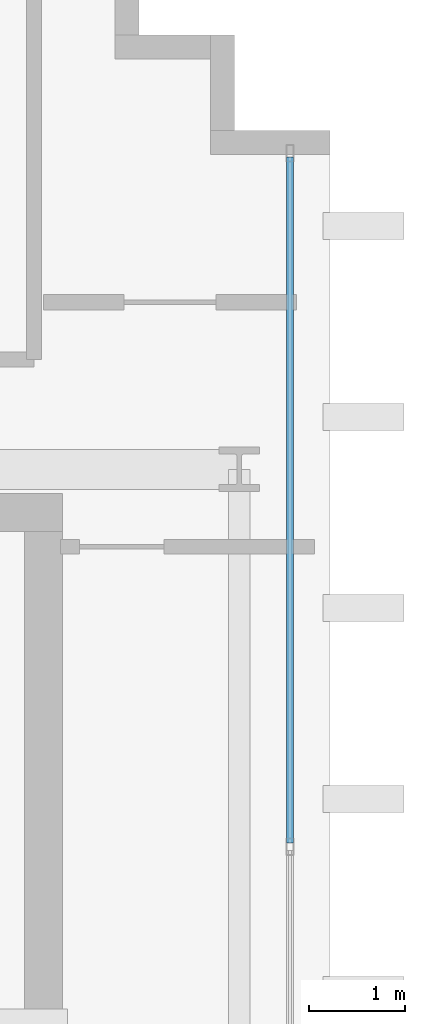
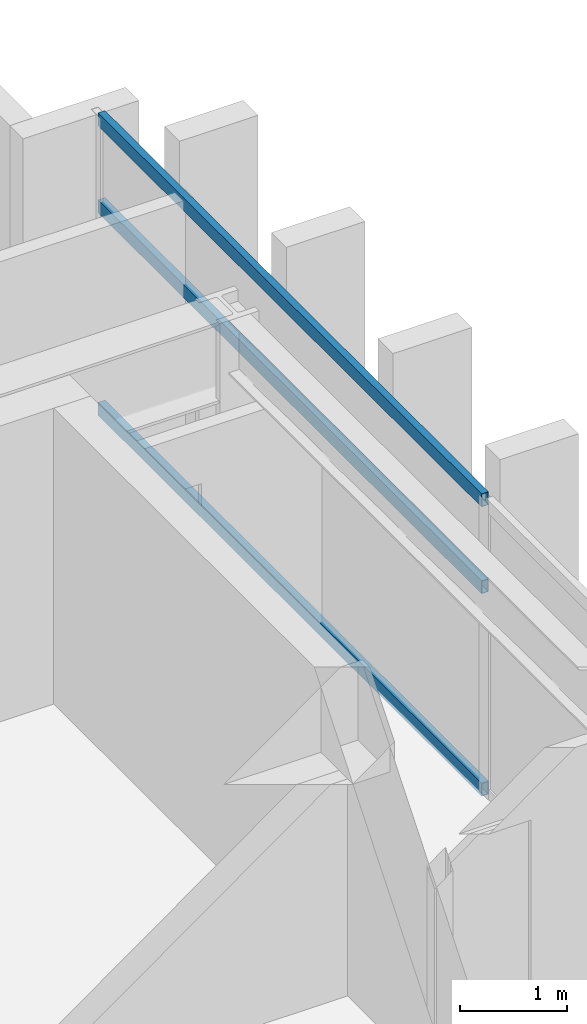
# One storey, part 15 of 25: 3 members, 1 element without a shape of its own.
"""IFC4 building model written with IfcOpenShell, lengths in metres."""

import ifcopenshell
import ifcopenshell.guid

model = None  # the IFC model being written
_history = None  # IfcOwnerHistory: only IFC2X3 demands one
_inside = {}  # id of a spatial element -> (the spatial element, [elements in it])
_under = {}  # id of a project, library or spatial element -> (it, [spatial elements below it])
_declared = {}  # id of a project -> (the project, [libraries it declares])
_typed = {}  # id of a type object -> (the type object, [elements of that type])
_made_of = {}  # id of a material, layer set ... -> (it, [elements and type objects made of it])


def new_model(schema):
    """Start an empty IFC model of exactly this schema.

    Asked for "IFC4X3", IfcOpenShell would pick the latest addendum, in which some entities
    have other attributes; the version numbers below select the first issue.
    IFC2X3 requires an IfcOwnerHistory on every rooted entity: one is made here for all.
    """
    global model, _history
    if schema == "IFC4X3":
        model = ifcopenshell.file(schema_version=(4, 3, 0, 0))
    else:
        model = ifcopenshell.file(schema=schema)
    _inside.clear()
    _under.clear()
    _declared.clear()
    _typed.clear()
    _made_of.clear()
    _history = None
    if model.schema == "IFC2X3":
        org = make("IfcOrganization", Name="unknown")
        user = make(
            "IfcPersonAndOrganization",
            ThePerson=make("IfcPerson", FamilyName="unknown"),
            TheOrganization=org,
        )
        app = make(
            "IfcApplication",
            ApplicationDeveloper=org,
            Version="unknown",
            ApplicationFullName="unknown",
            ApplicationIdentifier="unknown",
        )
        _history = make(
            "IfcOwnerHistory",
            OwningUser=user,
            OwningApplication=app,
            ChangeAction="ADDED",
            CreationDate=0,
        )
    return model


def make(cls, **values):
    """One entity of the class cls with the attributes given. An attribute that is None is left unset."""
    return model.create_entity(
        cls, **{name: value for name, value in values.items() if value is not None}
    )


def rooted(cls, **values):
    """An entity with a GlobalId (a new one), such as an element, a storey or a relation."""
    return make(cls, GlobalId=ifcopenshell.guid.new(), OwnerHistory=_history, **values)


def si_unit(unit_type, name, prefix=None):
    """IfcSIUnit, for example si_unit("LENGTHUNIT", "METRE", prefix="MILLI")."""
    return make("IfcSIUnit", UnitType=unit_type, Prefix=prefix, Name=name)


def assignment(units):
    """IfcUnitAssignment: the units of a project."""
    return None if units is None else make("IfcUnitAssignment", Units=units)


def point(xyz):
    """IfcCartesianPoint."""
    return None if xyz is None else make("IfcCartesianPoint", Coordinates=xyz)


def direction(xyz):
    """IfcDirection."""
    return None if xyz is None else make("IfcDirection", DirectionRatios=xyz)


def frame(location, z_axis=None, x_axis=None):
    """IfcAxis2Placement3D, a coordinate frame: its origin and axes. An axis left out is left unset."""
    return make(
        "IfcAxis2Placement3D",
        Location=point(location),
        Axis=direction(z_axis),
        RefDirection=direction(x_axis),
    )


def frame_2d(location, x_axis=None):
    """IfcAxis2Placement2D, a coordinate frame in the plane: its origin and x axis."""
    return make(
        "IfcAxis2Placement2D", Location=point(location), RefDirection=direction(x_axis)
    )


def origin():
    """The frame at (0, 0, 0) with its axes left unset."""
    return frame((0.0, 0.0, 0.0))


def origin_2d():
    """The frame at (0, 0) in the plane with its x axis left unset."""
    return frame_2d((0.0, 0.0))


def place(relative_to, where):
    """IfcLocalPlacement: puts the frame where relative to a parent placement (None: the world)."""
    return make(
        "IfcLocalPlacement", PlacementRelTo=relative_to, RelativePlacement=where
    )


def context(
    kind, dimensions, precision=None, world=None, true_north=None, identifier=None
):
    """IfcGeometricRepresentationContext, for example the 3D "Model" context."""
    return make(
        "IfcGeometricRepresentationContext",
        ContextIdentifier=identifier,
        ContextType=kind,
        CoordinateSpaceDimension=dimensions,
        Precision=precision,
        WorldCoordinateSystem=world,
        TrueNorth=true_north,
    )


def subcontext(parent, identifier, kind, view, scale=None):
    """IfcGeometricRepresentationSubContext, for example "Body" below "Model"."""
    return make(
        "IfcGeometricRepresentationSubContext",
        ContextIdentifier=identifier,
        ContextType=kind,
        ParentContext=parent,
        TargetScale=scale,
        TargetView=view,
    )


def project(units=None, contexts=None):
    """IfcProject with its units and contexts."""
    return rooted(
        "IfcProject",
        Name="project",
        RepresentationContexts=contexts,
        UnitsInContext=assignment(units),
    )


def spatial(cls, under=None, at=None, **own):
    """A site, building, storey or space (cls), placed at a placement, below another one or the project."""
    s = rooted(cls, ObjectPlacement=at, **own)
    if under is not None:
        _under.setdefault(under.id(), (under, []))[1].append(s)
    return s


def profile(cls, at=None, kind="AREA", **sizes):
    """A parametric profile (cls). Its sizes go by their IFC names, for example OverallWidth=200.0."""
    return make(cls, ProfileType=kind, Position=at, **sizes)


def hollow_rectangle(**sizes):
    """IfcRectangleHollowProfileDef."""
    return profile("IfcRectangleHollowProfileDef", **sizes)


def extrude(swept, where, along, depth):
    """IfcExtrudedAreaSolid: the profile swept, set in the frame where, extruded along a direction by depth."""
    return make(
        "IfcExtrudedAreaSolid",
        SweptArea=swept,
        Position=where,
        ExtrudedDirection=direction(along),
        Depth=depth,
    )


def shape(context_of_items, identifier, shape_type, items):
    """IfcShapeRepresentation: the items that make up one representation, for example the "Body"."""
    return make(
        "IfcShapeRepresentation",
        ContextOfItems=context_of_items,
        RepresentationIdentifier=identifier,
        RepresentationType=shape_type,
        Items=items,
    )


def source(mapping_origin, context_of_items, identifier, shape_type, items):
    """IfcRepresentationMap: a shape defined once, which mapped items show again and again."""
    return make(
        "IfcRepresentationMap",
        MappingOrigin=mapping_origin,
        MappedRepresentation=shape(context_of_items, identifier, shape_type, items),
    )


def transform(
    local_origin,
    x_axis=None,
    y_axis=None,
    z_axis=None,
    scale=None,
    scale2=None,
    scale3=None,
    uniform=True,
):
    """IfcCartesianTransformationOperator3D, or its non-uniform kind. x_axis, y_axis, z_axis: its Axis1, 2, 3."""
    if uniform:
        return make(
            "IfcCartesianTransformationOperator3D",
            Axis1=direction(x_axis),
            Axis2=direction(y_axis),
            LocalOrigin=point(local_origin),
            Scale=scale,
            Axis3=direction(z_axis),
        )
    return make(
        "IfcCartesianTransformationOperator3DnonUniform",
        Axis1=direction(x_axis),
        Axis2=direction(y_axis),
        LocalOrigin=point(local_origin),
        Scale=scale,
        Axis3=direction(z_axis),
        Scale2=scale2,
        Scale3=scale3,
    )


def mapped(mapping_source, mapping_target):
    """IfcMappedItem: shows the shape of a source again, moved by a transform."""
    return make(
        "IfcMappedItem", MappingSource=mapping_source, MappingTarget=mapping_target
    )


def material(Name=None, Category=None):
    """IfcMaterial."""
    return make("IfcMaterial", Name=Name, Category=Category)


def layer(
    of_material, thickness, ventilated=None, Name=None, Category=None, Priority=None
):
    """IfcMaterialLayer: one layer of a wall or slab, of a material (None: an air gap)."""
    return make(
        "IfcMaterialLayer",
        Material=of_material,
        LayerThickness=thickness,
        IsVentilated=ventilated,
        Name=Name,
        Category=Category,
        Priority=Priority,
    )


def layer_set(layers, Name=None):
    """IfcMaterialLayerSet."""
    return make("IfcMaterialLayerSet", MaterialLayers=layers, LayerSetName=Name)


def material_profile(
    of_material, cross_section, Name=None, Category=None, Priority=None
):
    """IfcMaterialProfile: a cross section and its material."""
    return make(
        "IfcMaterialProfile",
        Name=Name,
        Material=of_material,
        Profile=cross_section,
        Priority=Priority,
        Category=Category,
    )


def profile_set(profiles, Name=None, composite=None):
    """IfcMaterialProfileSet."""
    return make(
        "IfcMaterialProfileSet",
        Name=Name,
        MaterialProfiles=profiles,
        CompositeProfile=composite,
    )


def made_of(thing, what):
    """Note that an element or type object is made of a material, layer set ...; save() writes the relation."""
    if what is not None:
        _made_of.setdefault(what.id(), (what, []))[1].append(thing)
    return thing


def type_object(cls, material=None, **own):
    """A type object (cls), such as IfcWallType, which elements share."""
    return made_of(rooted(cls, **own), material)


def element(
    cls,
    number,
    at=None,
    inside=None,
    cuts=None,
    type_object=None,
    material=None,
    context=None,
    identifier="Body",
    shape_type=None,
    held_by="IfcProductDefinitionShape",
    body=None,
    shapes=None,
    **own,
):
    """One element of the class cls, such as IfcWall. Its Tag is "e" and its number.

    at: its placement. inside: the storey or other place that contains it. cuts: it is an
    opening in that element (IfcRelVoidsElement). A single representation is given by context,
    identifier, shape_type and body (its items); several are given by shapes. held_by: the class
    of the entity that holds the representations. save() writes the other relations.
    """
    e = rooted(cls, Tag="e%d" % number, ObjectPlacement=at, **own)
    if body is not None:
        shapes = [shape(context, identifier, shape_type, body)]
    if shapes is not None:
        e.Representation = make(held_by, Representations=shapes)
    if inside is not None:
        _inside.setdefault(inside.id(), (inside, []))[1].append(e)
    if cuts is not None:
        rooted(
            "IfcRelVoidsElement", RelatingBuildingElement=cuts, RelatedOpeningElement=e
        )
    if type_object is not None:
        _typed.setdefault(type_object.id(), (type_object, []))[1].append(e)
    return made_of(e, material)


def aggregate(whole, parts):
    """IfcRelAggregates: a whole, such as a stair, and the parts it consists of."""
    return rooted("IfcRelAggregates", RelatingObject=whole, RelatedObjects=parts)


def save(model, path):
    """Write the relations noted so far, then the file.

    IfcRelAggregates (storeys below a building ...), IfcRelContainedInSpatialStructure (elements
    in a storey), IfcRelDefinesByType, IfcRelAssociatesMaterial and IfcRelDeclares: one each for
    every whole, place, type object, material and project.
    """
    for whole, parts in _under.values():
        aggregate(whole, parts)
    for where, things in _inside.values():
        rooted(
            "IfcRelContainedInSpatialStructure",
            RelatedElements=things,
            RelatingStructure=where,
        )
    for kind, things in _typed.values():
        rooted("IfcRelDefinesByType", RelatedObjects=things, RelatingType=kind)
    for what, things in _made_of.values():
        rooted("IfcRelAssociatesMaterial", RelatedObjects=things, RelatingMaterial=what)
    for by, libraries in _declared.values():
        rooted("IfcRelDeclares", RelatingContext=by, RelatedDefinitions=libraries)
    model.write(path)


model = new_model("IFC4")

# Units and contexts
model_context = context("Model", 3, precision=1e-05, world=origin(), true_north=direction((0.0, 1.0)))
body_context = subcontext(model_context, "Body", "Model", "MODEL_VIEW")
ifc_project = project(units=[si_unit("LENGTHUNIT", "METRE"), si_unit("AREAUNIT", "SQUARE_METRE"), si_unit("VOLUMEUNIT", "CUBIC_METRE"), si_unit("PLANEANGLEUNIT", "RADIAN"), si_unit("MASSUNIT", "GRAM", prefix="KILO")], contexts=[model_context])

# Site, building, storey
site_placement = place(None, origin())
site = spatial("IfcSite", under=ifc_project, at=site_placement, CompositionType="ELEMENT")
building_placement = place(site_placement, origin())
building = spatial("IfcBuilding", under=site, at=building_placement, Name="Ocotamira Hotel", CompositionType="ELEMENT")
storey_placement = place(building_placement, frame((0.0, 0.0, 261.60009765625)))
storey = spatial("IfcBuildingStorey", under=building, at=storey_placement, Name="L66", CompositionType="ELEMENT", Elevation=261.60009765625)

# Curtain wall, members
ifc_material_1 = material(Name="Anodised pale-metal aluminium and solar glass", Category="aluminium")
ifc_layer = layer(ifc_material_1, 0.2099609375)
ifc_layer_set = layer_set([ifc_layer], Name="Anodised pale-metal aluminium and solar glass")
curtain_wall_type = type_object("IfcCurtainWallType", Name="CW-SYS7-PEAK", PredefinedType="NOTDEFINED", material=ifc_layer_set)
curtain_wall_placement = place(storey_placement, origin())
curtain_wall = element("IfcCurtainWall", 1, at=curtain_wall_placement, inside=storey, type_object=curtain_wall_type, Name="L66 Curtain Wall CW-7 CW-L66-EO2", PredefinedType="NOTDEFINED")
ifc_material_2 = material(Name="Anodised pale-metal aluminium 6063-T6", Category="aluminium")
ifc_material_profile = material_profile(ifc_material_2, hollow_rectangle(XDim=0.074951171875, YDim=0.14990234375, WallThickness=0.006103515625, at=origin_2d()), Name="HSS150X75X6")
ifc_profile_set = profile_set([ifc_material_profile], Name="Anodised pale-metal aluminium 6063-T6")
member_type = type_object("IfcMemberType", Name="CWT-150X75", PredefinedType="USERDEFINED", material=ifc_profile_set)
shared_shape = source(origin(), body_context, "Body", "SweptSolid", [
    extrude(hollow_rectangle(XDim=0.074951171875, YDim=0.14990234375, WallThickness=0.006103515625, at=origin_2d()), origin(), (0.0, 0.0, 1.0), 7.179931640625),
])
member_1_placement = place(storey_placement, frame((55.580078125, 33.5400390625, 0.037353515625), z_axis=(0.0, 1.0, 0.0), x_axis=(-1.0, 0.0, 0.0)))
member_1 = element("IfcMember", 2, at=member_1_placement, type_object=member_type, Name="CW-7 transom 2.1", ObjectType="TRANSOM", PredefinedType="USERDEFINED", context=body_context, shape_type="MappedRepresentation", body=[
    mapped(shared_shape, transform((0.0, 0.0, 0.0), scale=1.0)),
])
member_2_placement = place(storey_placement, frame((55.580078125, 33.5400390625, 2.349853515625), z_axis=(0.0, 1.0, 0.0), x_axis=(-1.0, 0.0, 0.0)))
member_2 = element("IfcMember", 3, at=member_2_placement, type_object=member_type, Name="CW-7 transom 2.2", ObjectType="TRANSOM", PredefinedType="USERDEFINED", context=body_context, shape_type="MappedRepresentation", body=[
    mapped(shared_shape, transform((0.0, 0.0, 0.0), scale=1.0)),
])
member_3_placement = place(storey_placement, frame((55.580078125, 33.5400390625, 3.34228515625), z_axis=(0.0, 1.0, 0.0), x_axis=(-1.0, 0.0, 0.0)))
member_3 = element("IfcMember", 4, at=member_3_placement, type_object=member_type, Name="CW-7 transom 2.3", ObjectType="TRANSOM", PredefinedType="USERDEFINED", context=body_context, shape_type="MappedRepresentation", body=[
    mapped(shared_shape, transform((0.0, 0.0, 0.0), scale=1.0)),
])
aggregate(curtain_wall, [member_1, member_2, member_3])

save(model, "model.ifc")
